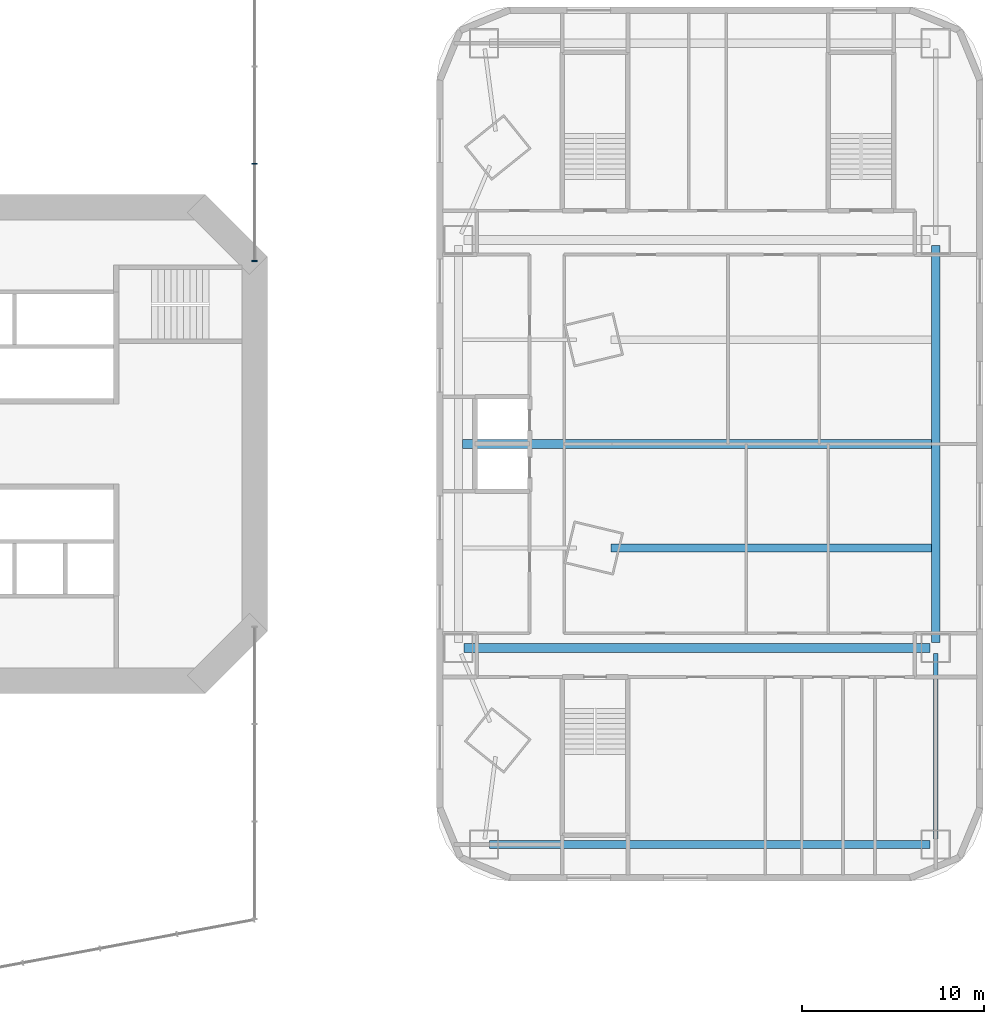
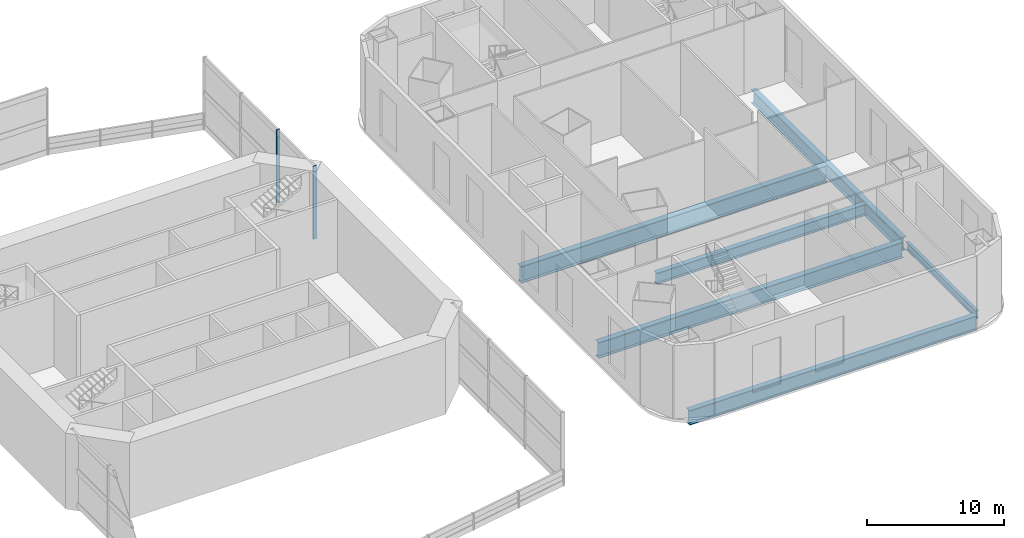
# One storey, part 6 of 19: 6 beams, 2 members, 1 element without a shape of its own.
"""IFC4 building model written with IfcOpenShell, lengths in metres."""

import ifcopenshell
import ifcopenshell.guid

model = None  # the IFC model being written
_history = None  # IfcOwnerHistory: only IFC2X3 demands one
_inside = {}  # id of a spatial element -> (the spatial element, [elements in it])
_under = {}  # id of a project, library or spatial element -> (it, [spatial elements below it])
_declared = {}  # id of a project -> (the project, [libraries it declares])
_typed = {}  # id of a type object -> (the type object, [elements of that type])
_made_of = {}  # id of a material, layer set ... -> (it, [elements and type objects made of it])


def new_model(schema):
    """Start an empty IFC model of exactly this schema.

    Asked for "IFC4X3", IfcOpenShell would pick the latest addendum, in which some entities
    have other attributes; the version numbers below select the first issue.
    IFC2X3 requires an IfcOwnerHistory on every rooted entity: one is made here for all.
    """
    global model, _history
    if schema == "IFC4X3":
        model = ifcopenshell.file(schema_version=(4, 3, 0, 0))
    else:
        model = ifcopenshell.file(schema=schema)
    _inside.clear()
    _under.clear()
    _declared.clear()
    _typed.clear()
    _made_of.clear()
    _history = None
    if model.schema == "IFC2X3":
        org = make("IfcOrganization", Name="unknown")
        user = make(
            "IfcPersonAndOrganization",
            ThePerson=make("IfcPerson", FamilyName="unknown"),
            TheOrganization=org,
        )
        app = make(
            "IfcApplication",
            ApplicationDeveloper=org,
            Version="unknown",
            ApplicationFullName="unknown",
            ApplicationIdentifier="unknown",
        )
        _history = make(
            "IfcOwnerHistory",
            OwningUser=user,
            OwningApplication=app,
            ChangeAction="ADDED",
            CreationDate=0,
        )
    return model


def make(cls, **values):
    """One entity of the class cls with the attributes given. An attribute that is None is left unset."""
    return model.create_entity(
        cls, **{name: value for name, value in values.items() if value is not None}
    )


def rooted(cls, **values):
    """An entity with a GlobalId (a new one), such as an element, a storey or a relation."""
    return make(cls, GlobalId=ifcopenshell.guid.new(), OwnerHistory=_history, **values)


def si_unit(unit_type, name, prefix=None):
    """IfcSIUnit, for example si_unit("LENGTHUNIT", "METRE", prefix="MILLI")."""
    return make("IfcSIUnit", UnitType=unit_type, Prefix=prefix, Name=name)


def assignment(units):
    """IfcUnitAssignment: the units of a project."""
    return None if units is None else make("IfcUnitAssignment", Units=units)


def point(xyz):
    """IfcCartesianPoint."""
    return None if xyz is None else make("IfcCartesianPoint", Coordinates=xyz)


def direction(xyz):
    """IfcDirection."""
    return None if xyz is None else make("IfcDirection", DirectionRatios=xyz)


def frame(location, z_axis=None, x_axis=None):
    """IfcAxis2Placement3D, a coordinate frame: its origin and axes. An axis left out is left unset."""
    return make(
        "IfcAxis2Placement3D",
        Location=point(location),
        Axis=direction(z_axis),
        RefDirection=direction(x_axis),
    )


def frame_2d(location, x_axis=None):
    """IfcAxis2Placement2D, a coordinate frame in the plane: its origin and x axis."""
    return make(
        "IfcAxis2Placement2D", Location=point(location), RefDirection=direction(x_axis)
    )


def origin():
    """The frame at (0, 0, 0) with its axes left unset."""
    return frame((0.0, 0.0, 0.0))


def origin_2d():
    """The frame at (0, 0) in the plane with its x axis left unset."""
    return frame_2d((0.0, 0.0))


def place(relative_to, where):
    """IfcLocalPlacement: puts the frame where relative to a parent placement (None: the world)."""
    return make(
        "IfcLocalPlacement", PlacementRelTo=relative_to, RelativePlacement=where
    )


def context(
    kind, dimensions, precision=None, world=None, true_north=None, identifier=None
):
    """IfcGeometricRepresentationContext, for example the 3D "Model" context."""
    return make(
        "IfcGeometricRepresentationContext",
        ContextIdentifier=identifier,
        ContextType=kind,
        CoordinateSpaceDimension=dimensions,
        Precision=precision,
        WorldCoordinateSystem=world,
        TrueNorth=true_north,
    )


def subcontext(parent, identifier, kind, view, scale=None):
    """IfcGeometricRepresentationSubContext, for example "Body" below "Model"."""
    return make(
        "IfcGeometricRepresentationSubContext",
        ContextIdentifier=identifier,
        ContextType=kind,
        ParentContext=parent,
        TargetScale=scale,
        TargetView=view,
    )


def project(units=None, contexts=None):
    """IfcProject with its units and contexts."""
    return rooted(
        "IfcProject",
        Name="project",
        RepresentationContexts=contexts,
        UnitsInContext=assignment(units),
    )


def spatial(cls, under=None, at=None, **own):
    """A site, building, storey or space (cls), placed at a placement, below another one or the project."""
    s = rooted(cls, ObjectPlacement=at, **own)
    if under is not None:
        _under.setdefault(under.id(), (under, []))[1].append(s)
    return s


def profile(cls, at=None, kind="AREA", **sizes):
    """A parametric profile (cls). Its sizes go by their IFC names, for example OverallWidth=200.0."""
    return make(cls, ProfileType=kind, Position=at, **sizes)


def rectangle(**sizes):
    """IfcRectangleProfileDef."""
    return profile("IfcRectangleProfileDef", **sizes)


def i_section(**sizes):
    """IfcIShapeProfileDef."""
    return profile("IfcIShapeProfileDef", **sizes)


def extrude(swept, where, along, depth):
    """IfcExtrudedAreaSolid: the profile swept, set in the frame where, extruded along a direction by depth."""
    return make(
        "IfcExtrudedAreaSolid",
        SweptArea=swept,
        Position=where,
        ExtrudedDirection=direction(along),
        Depth=depth,
    )


def shape(context_of_items, identifier, shape_type, items):
    """IfcShapeRepresentation: the items that make up one representation, for example the "Body"."""
    return make(
        "IfcShapeRepresentation",
        ContextOfItems=context_of_items,
        RepresentationIdentifier=identifier,
        RepresentationType=shape_type,
        Items=items,
    )


def material(Name=None, Category=None):
    """IfcMaterial."""
    return make("IfcMaterial", Name=Name, Category=Category)


def material_profile(
    of_material, cross_section, Name=None, Category=None, Priority=None
):
    """IfcMaterialProfile: a cross section and its material."""
    return make(
        "IfcMaterialProfile",
        Name=Name,
        Material=of_material,
        Profile=cross_section,
        Priority=Priority,
        Category=Category,
    )


def profile_set(profiles, Name=None, composite=None):
    """IfcMaterialProfileSet."""
    return make(
        "IfcMaterialProfileSet",
        Name=Name,
        MaterialProfiles=profiles,
        CompositeProfile=composite,
    )


def made_of(thing, what):
    """Note that an element or type object is made of a material, layer set ...; save() writes the relation."""
    if what is not None:
        _made_of.setdefault(what.id(), (what, []))[1].append(thing)
    return thing


def type_object(cls, material=None, **own):
    """A type object (cls), such as IfcWallType, which elements share."""
    return made_of(rooted(cls, **own), material)


def element(
    cls,
    number,
    at=None,
    inside=None,
    cuts=None,
    type_object=None,
    material=None,
    context=None,
    identifier="Body",
    shape_type=None,
    held_by="IfcProductDefinitionShape",
    body=None,
    shapes=None,
    **own,
):
    """One element of the class cls, such as IfcWall. Its Tag is "e" and its number.

    at: its placement. inside: the storey or other place that contains it. cuts: it is an
    opening in that element (IfcRelVoidsElement). A single representation is given by context,
    identifier, shape_type and body (its items); several are given by shapes. held_by: the class
    of the entity that holds the representations. save() writes the other relations.
    """
    e = rooted(cls, Tag="e%d" % number, ObjectPlacement=at, **own)
    if body is not None:
        shapes = [shape(context, identifier, shape_type, body)]
    if shapes is not None:
        e.Representation = make(held_by, Representations=shapes)
    if inside is not None:
        _inside.setdefault(inside.id(), (inside, []))[1].append(e)
    if cuts is not None:
        rooted(
            "IfcRelVoidsElement", RelatingBuildingElement=cuts, RelatedOpeningElement=e
        )
    if type_object is not None:
        _typed.setdefault(type_object.id(), (type_object, []))[1].append(e)
    return made_of(e, material)


def aggregate(whole, parts):
    """IfcRelAggregates: a whole, such as a stair, and the parts it consists of."""
    return rooted("IfcRelAggregates", RelatingObject=whole, RelatedObjects=parts)


def save(model, path):
    """Write the relations noted so far, then the file.

    IfcRelAggregates (storeys below a building ...), IfcRelContainedInSpatialStructure (elements
    in a storey), IfcRelDefinesByType, IfcRelAssociatesMaterial and IfcRelDeclares: one each for
    every whole, place, type object, material and project.
    """
    for whole, parts in _under.values():
        aggregate(whole, parts)
    for where, things in _inside.values():
        rooted(
            "IfcRelContainedInSpatialStructure",
            RelatedElements=things,
            RelatingStructure=where,
        )
    for kind, things in _typed.values():
        rooted("IfcRelDefinesByType", RelatedObjects=things, RelatingType=kind)
    for what, things in _made_of.values():
        rooted("IfcRelAssociatesMaterial", RelatedObjects=things, RelatingMaterial=what)
    for by, libraries in _declared.values():
        rooted("IfcRelDeclares", RelatingContext=by, RelatedDefinitions=libraries)
    model.write(path)


model = new_model("IFC4")

# Units and contexts
model_context = context("Model", 3, precision=1e-05, world=origin(), true_north=direction((0.0, 1.0)))
body_context = subcontext(model_context, "Body", "Model", "MODEL_VIEW")
ifc_project = project(units=[si_unit("LENGTHUNIT", "METRE"), si_unit("AREAUNIT", "SQUARE_METRE"), si_unit("VOLUMEUNIT", "CUBIC_METRE"), si_unit("PLANEANGLEUNIT", "RADIAN"), si_unit("MASSUNIT", "GRAM", prefix="KILO")], contexts=[model_context])

# Site, building, storey
site_placement = place(None, origin())
site = spatial("IfcSite", under=ifc_project, at=site_placement, CompositionType="ELEMENT")
building_placement = place(site_placement, origin())
building = spatial("IfcBuilding", under=site, at=building_placement, Name="Marenthal Gate Tower", CompositionType="ELEMENT")
storey_placement = place(building_placement, frame((0.0, 0.0, 19.0)))
storey = spatial("IfcBuildingStorey", under=building, at=storey_placement, Name="L02", CompositionType="ELEMENT", Elevation=19.0)

# Curtain wall, members
ifc_material_1 = material(Name="Aluminium and glass", Category="aluminium")
curtain_wall_type = type_object("IfcCurtainWallType", Name="Curtain wall arch infill", PredefinedType="NOTDEFINED", material=ifc_material_1)
curtain_wall_placement = place(storey_placement, origin())
curtain_wall = element("IfcCurtainWall", 1, at=curtain_wall_placement, inside=storey, type_object=curtain_wall_type, Name="Curtain wall L02 hall NE1", PredefinedType="NOTDEFINED")
ifc_material_2 = material(Name="Aluminium", Category="aluminium")
ifc_material_profile_1 = material_profile(ifc_material_2, rectangle(XDim=0.300048828125, YDim=0.080078125, at=origin_2d()), Name="80x300 aluminium mullion")
ifc_profile_set_1 = profile_set([ifc_material_profile_1], Name="Aluminium")
member_type = type_object("IfcMemberType", Name="Mullion 80x300 arch infill", PredefinedType="MULLION", material=ifc_profile_set_1)
member_1_placement = place(storey_placement, frame((16.0, 10.0400390625, 0.0), z_axis=(0.0, 0.0, 1.0), x_axis=(-1.0, 0.0, 0.0)))
member_1 = element("IfcMember", 2, at=member_1_placement, type_object=member_type, Name="Mullion L02 hall NE1.1", PredefinedType="MULLION", context=body_context, shape_type="SweptSolid", body=[
    extrude(rectangle(XDim=0.300048828125, YDim=0.080078125, at=origin_2d()), origin(), (0.0, 0.0, 1.0), 6.5),
])
member_2_placement = place(storey_placement, frame((16.0, 15.3857421875, 0.0), z_axis=(0.0, 0.0, 1.0), x_axis=(-1.0, 0.0, 0.0)))
member_2 = element("IfcMember", 3, at=member_2_placement, type_object=member_type, Name="Mullion L02 hall NE1.2", PredefinedType="MULLION", context=body_context, shape_type="SweptSolid", body=[
    extrude(rectangle(XDim=0.300048828125, YDim=0.080078125, at=origin_2d()), origin(), (0.0, 0.0, 1.0), 6.5),
])
aggregate(curtain_wall, [member_1, member_2])

# Beams
ifc_material_3 = material(Name="Steel S355", Category="steel")
ifc_material_profile_2 = material_profile(ifc_material_3, i_section(OverallWidth=0.419921875, OverallDepth=1.0, WebThickness=0.02001953125, FlangeThickness=0.035888671875, at=origin_2d()), Name="PLATE GIRDER 1000X420X20X36")
ifc_profile_set_2 = profile_set([ifc_material_profile_2], Name="Steel S355")
beam_type_1 = type_object("IfcBeamType", Name="PLATE GIRDER 1000X420X20X36 beam", PredefinedType="BEAM", material=ifc_profile_set_2)
beam_1_placement = place(storey_placement, frame((35.561279296875, -5.716064453125, -0.75), z_axis=(1.0, 0.0, 0.0), x_axis=(0.0, 1.0, 0.0)))
element("IfcBeam", 4, at=beam_1_placement, inside=storey, type_object=beam_type_1, Name="BM-L02-108", PredefinedType="BEAM", context=body_context, shape_type="SweptSolid", body=[
    extrude(i_section(OverallWidth=0.419921875, OverallDepth=1.0, WebThickness=0.02001953125, FlangeThickness=0.035888671875, at=origin_2d()), origin(), (0.0, 0.0, 1.0), 17.61376953125),
])
ifc_material_4 = material(Name="Steel S355", Category="steel")
ifc_material_profile_3 = material_profile(ifc_material_4, i_section(OverallWidth=0.449951171875, OverallDepth=1.199951171875, WebThickness=0.02197265625, FlangeThickness=0.0400390625, at=origin_2d()), Name="PLATE GIRDER 1200X450X22X40")
ifc_profile_set_3 = profile_set([ifc_material_profile_3], Name="Steel S355")
beam_type_2 = type_object("IfcBeamType", Name="PLATE GIRDER 1200X450X22X40 beam", PredefinedType="BEAM", material=ifc_profile_set_3)
beam_2_placement = place(storey_placement, frame((53.39990234375, -10.89990234375, -0.85009765625), z_axis=(0.0, 1.0, 0.0), x_axis=(-1.0, 0.0, 0.0)))
element("IfcBeam", 5, at=beam_2_placement, inside=storey, type_object=beam_type_2, Name="BM-L02-102", PredefinedType="BEAM", context=body_context, shape_type="SweptSolid", body=[
    extrude(i_section(OverallWidth=0.449951171875, OverallDepth=1.199951171875, WebThickness=0.02197265625, FlangeThickness=0.0400390625, at=origin_2d()), origin(), (0.0, 0.0, 1.0), 21.7998046875),
])
ifc_material_5 = material(Name="Steel S355", Category="steel")
ifc_material_profile_4 = material_profile(ifc_material_5, i_section(OverallWidth=0.4599609375, OverallDepth=1.300048828125, WebThickness=0.02490234375, FlangeThickness=0.044921875, at=origin_2d()), Name="PLATE GIRDER 1300X460X25X45")
ifc_profile_set_4 = profile_set([ifc_material_profile_4], Name="Steel S355")
beam_type_3 = type_object("IfcBeamType", Name="PLATE GIRDER 1300X460X25X45 beam", PredefinedType="BEAM", material=ifc_profile_set_4)
beam_3_placement = place(storey_placement, frame((28.89990234375, -22.0, -0.89990234375), z_axis=(1.0, 0.0, 0.0), x_axis=(0.0, 1.0, 0.0)))
element("IfcBeam", 6, at=beam_3_placement, inside=storey, type_object=beam_type_3, Name="BM-L02-105", PredefinedType="BEAM", context=body_context, shape_type="SweptSolid", body=[
    extrude(i_section(OverallWidth=0.4599609375, OverallDepth=1.300048828125, WebThickness=0.02490234375, FlangeThickness=0.044921875, at=origin_2d()), origin(), (0.0, 0.0, 1.0), 24.2001953125),
])
ifc_material_6 = material(Name="Steel S355", Category="steel")
ifc_material_profile_5 = material_profile(ifc_material_6, i_section(OverallWidth=0.47998046875, OverallDepth=1.39990234375, WebThickness=0.02490234375, FlangeThickness=0.044921875, at=origin_2d()), Name="PLATE GIRDER 1400X480X25X45")
ifc_profile_set_5 = profile_set([ifc_material_profile_5], Name="Steel S355")
beam_type_4 = type_object("IfcBeamType", Name="PLATE GIRDER 1400X480X25X45 beam", PredefinedType="BEAM", material=ifc_profile_set_5)
beam_4_placement = place(storey_placement, frame((27.5, -11.199951171875, -0.949951171875), z_axis=(1.0, 0.0, 0.0), x_axis=(0.0, 1.0, 0.0)))
element("IfcBeam", 7, at=beam_4_placement, inside=storey, type_object=beam_type_4, Name="BM-L02-106", PredefinedType="BEAM", context=body_context, shape_type="SweptSolid", body=[
    extrude(i_section(OverallWidth=0.47998046875, OverallDepth=1.39990234375, WebThickness=0.02490234375, FlangeThickness=0.044921875, at=origin_2d()), origin(), (0.0, 0.0, 1.0), 25.60009765625),
])
ifc_material_7 = material(Name="Steel S355", Category="steel")
ifc_material_profile_6 = material_profile(ifc_material_7, i_section(OverallWidth=0.5, OverallDepth=1.5, WebThickness=0.02490234375, FlangeThickness=0.050048828125, at=origin_2d()), Name="PLATE GIRDER 1500X500X25X50")
ifc_profile_set_6 = profile_set([ifc_material_profile_6], Name="Steel S355")
beam_type_5 = type_object("IfcBeamType", Name="PLATE GIRDER 1500X500X25X50 beam", PredefinedType="BEAM", material=ifc_profile_set_6)
beam_5_placement = place(storey_placement, frame((27.425048828125, 0.0, -1.0), z_axis=(1.0, 0.0, 0.0), x_axis=(0.0, 1.0, 0.0)))
element("IfcBeam", 8, at=beam_5_placement, inside=storey, type_object=beam_type_5, Name="BM-L02-109", PredefinedType="BEAM", context=body_context, shape_type="SweptSolid", body=[
    extrude(i_section(OverallWidth=0.5, OverallDepth=1.5, WebThickness=0.02490234375, FlangeThickness=0.050048828125, at=origin_2d()), origin(), (0.0, 0.0, 1.0), 25.75),
])
ifc_material_8 = material(Name="Steel S355", Category="steel")
ifc_material_profile_7 = material_profile(ifc_material_8, i_section(OverallWidth=0.25390625, OverallDepth=0.68310546875, WebThickness=0.012451171875, FlangeThickness=0.018798828125, FilletRadius=0.01513671875, at=origin_2d()), Name="W690X140")
ifc_profile_set_7 = profile_set([ifc_material_profile_7], Name="Steel S355")
beam_type_6 = type_object("IfcBeamType", Name="W690X140 beam", PredefinedType="BEAM", material=ifc_profile_set_7)
beam_6_placement = place(storey_placement, frame((53.39990234375, -21.699951171875, -0.591552734375), z_axis=(0.0, 1.0, 0.0), x_axis=(-1.0, 0.0, 0.0)))
element("IfcBeam", 9, at=beam_6_placement, inside=storey, type_object=beam_type_6, Name="BM-L02-101", PredefinedType="BEAM", context=body_context, shape_type="SweptSolid", body=[
    extrude(i_section(OverallWidth=0.25390625, OverallDepth=0.68310546875, WebThickness=0.012451171875, FlangeThickness=0.018798828125, FilletRadius=0.01513671875, at=origin_2d()), origin(), (0.0, 0.0, 1.0), 10.199951171875),
])

save(model, "model.ifc")
